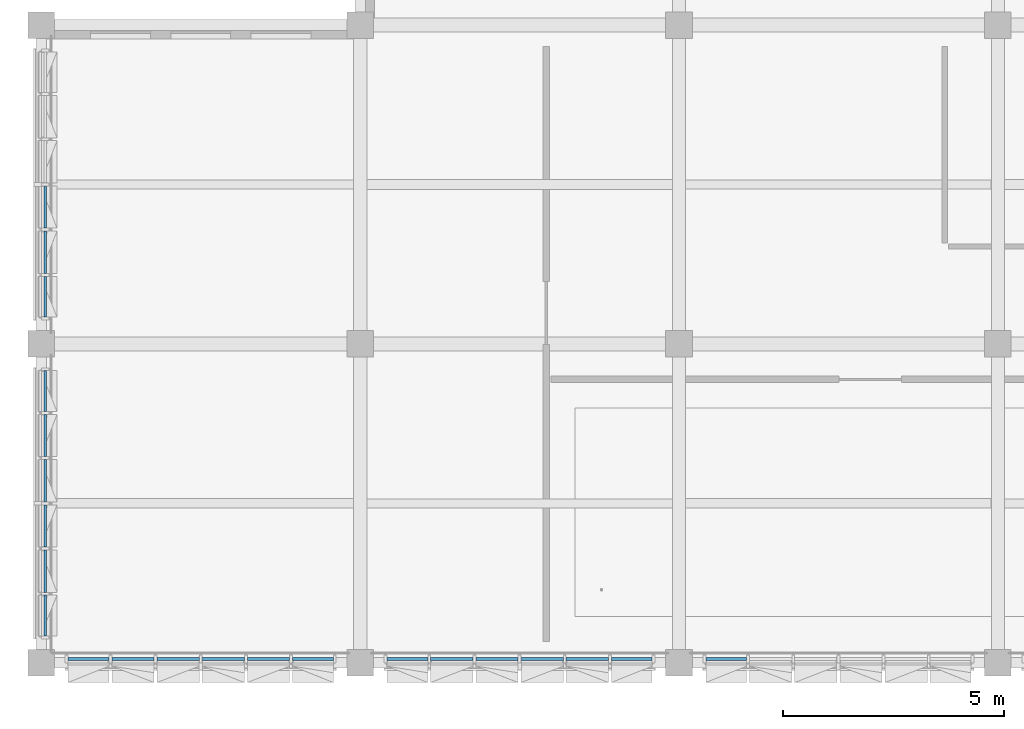
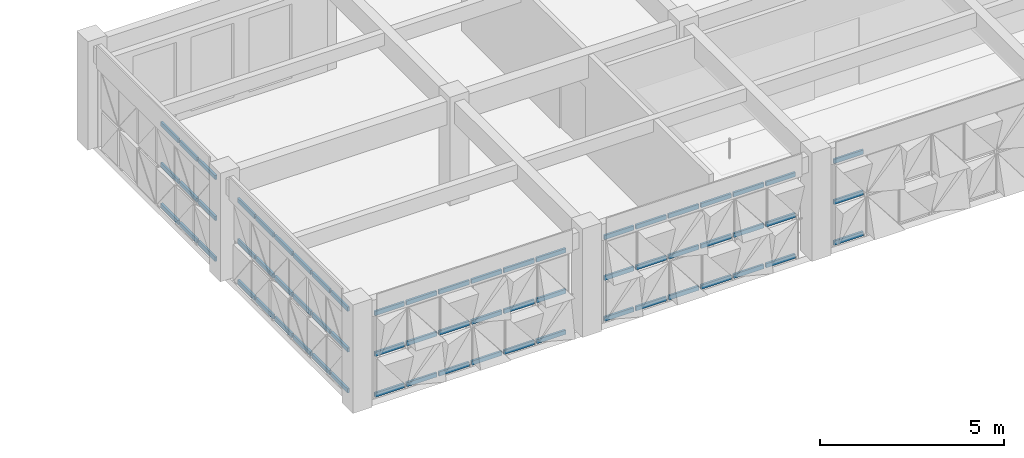
# One storey, part 18 of 99: 66 members, 5 elements without a shape of their own.
"""IFC4 building model written with IfcOpenShell, lengths in metres."""

from ifc_helpers import new_model, si_unit, direction, frame, origin, origin_2d, place, context, subcontext, project, spatial, rectangle, extrude, material, material_profile, profile_set, type_object, element, aggregate, save


model = new_model("IFC4")

# Units and contexts
model_context = context("Model", 3, precision=1e-05, world=origin(), true_north=direction((0.0, 1.0)))
body_context = subcontext(model_context, "Body", "Model", "MODEL_VIEW")
ifc_project = project(units=[si_unit("LENGTHUNIT", "METRE"), si_unit("AREAUNIT", "SQUARE_METRE"), si_unit("VOLUMEUNIT", "CUBIC_METRE"), si_unit("PLANEANGLEUNIT", "RADIAN"), si_unit("MASSUNIT", "GRAM", prefix="KILO")], contexts=[model_context])

# Site, building, storey
site_placement = place(None, origin())
site = spatial("IfcSite", under=ifc_project, at=site_placement, CompositionType="ELEMENT")
building_placement = place(site_placement, origin())
building = spatial("IfcBuilding", under=site, at=building_placement, Name="Alvorim Cloister Faculty of Sciences", CompositionType="ELEMENT")
storey_placement = place(building_placement, frame((0.0, 0.0, 12.14990234375)))
storey = spatial("IfcBuildingStorey", under=building, at=storey_placement, Name="L03", CompositionType="ELEMENT", Elevation=12.14990234375)

# Curtain wall, members
ifc_material_1 = material(Name="Aluminium and Low-E Glass Curtain Wall", Category="aluminium")
curtain_wall_type = type_object("IfcCurtainWallType", Name="CW-TRI-6120x2850", PredefinedType="USERDEFINED", material=ifc_material_1)
curtain_wall_1_placement = place(storey_placement, origin())
curtain_wall_1 = element("IfcCurtainWall", 1, at=curtain_wall_1_placement, inside=storey, type_object=curtain_wall_type, Name="L03 Diagonal Cassette Curtain Wall CW-0150", ObjectType="UNITISED CURTAIN WALL", PredefinedType="USERDEFINED")
ifc_material_2 = material(Name="Aluminium Alloy 6063-T6", Category="aluminium")
ifc_material_profile = material_profile(ifc_material_2, rectangle(XDim=0.06494140625, YDim=0.139892578125, at=origin_2d()), Name="ALU-TRN-65x140")
ifc_profile_set = profile_set([ifc_material_profile], Name="Aluminium Alloy 6063-T6")
member_type = type_object("IfcMemberType", Name="CW-TRN-65x140", PredefinedType="USERDEFINED", material=ifc_profile_set)
member_1_placement = place(storey_placement, frame((15.0048828125, 0.090087890625, 0.070068359375), z_axis=(1.0, 0.0, 0.0), x_axis=(0.0, 1.0, 0.0)))
member_1 = element("IfcMember", 2, at=member_1_placement, type_object=member_type, Name="CW-0150 Transom 1.1", ObjectType="TRANSOM", PredefinedType="USERDEFINED", context=body_context, shape_type="SweptSolid", body=[
    extrude(rectangle(XDim=0.06494140625, YDim=0.139892578125, at=origin_2d()), origin(), (0.0, 0.0, 1.0), 0.922607421875),
])
member_2_placement = place(storey_placement, frame((15.0048828125, 0.090087890625, 1.425048828125), z_axis=(1.0, 0.0, 0.0), x_axis=(0.0, 1.0, 0.0)))
member_2 = element("IfcMember", 3, at=member_2_placement, type_object=member_type, Name="CW-0150 Transom 1.2", ObjectType="TRANSOM", PredefinedType="USERDEFINED", context=body_context, shape_type="SweptSolid", body=[
    extrude(rectangle(XDim=0.06494140625, YDim=0.139892578125, at=origin_2d()), origin(), (0.0, 0.0, 1.0), 0.922607421875),
])
member_3_placement = place(storey_placement, frame((15.0048828125, 0.090087890625, 2.780029296875), z_axis=(1.0, 0.0, 0.0), x_axis=(0.0, 1.0, 0.0)))
member_3 = element("IfcMember", 4, at=member_3_placement, type_object=member_type, Name="CW-0150 Transom 1.3", ObjectType="TRANSOM", PredefinedType="USERDEFINED", context=body_context, shape_type="SweptSolid", body=[
    extrude(rectangle(XDim=0.06494140625, YDim=0.139892578125, at=origin_2d()), origin(), (0.0, 0.0, 1.0), 0.922607421875),
])
aggregate(curtain_wall_1, [member_1, member_2, member_3])

curtain_wall_2_placement = place(storey_placement, origin())
curtain_wall_2 = element("IfcCurtainWall", 5, at=curtain_wall_2_placement, inside=storey, type_object=curtain_wall_type, Name="L03 Diagonal Cassette Curtain Wall CW-0151", ObjectType="UNITISED CURTAIN WALL", PredefinedType="USERDEFINED")
member_4_placement = place(storey_placement, frame((7.804931640625, 0.090087890625, 0.070068359375), z_axis=(1.0, 0.0, 0.0), x_axis=(0.0, 1.0, 0.0)))
member_4 = element("IfcMember", 6, at=member_4_placement, type_object=member_type, Name="CW-0151 Transom 1.1", ObjectType="TRANSOM", PredefinedType="USERDEFINED", context=body_context, shape_type="SweptSolid", body=[
    extrude(rectangle(XDim=0.06494140625, YDim=0.139892578125, at=origin_2d()), origin(), (0.0, 0.0, 1.0), 0.922607421875),
])
member_5_placement = place(storey_placement, frame((7.804931640625, 0.090087890625, 1.425048828125), z_axis=(1.0, 0.0, 0.0), x_axis=(0.0, 1.0, 0.0)))
member_5 = element("IfcMember", 7, at=member_5_placement, type_object=member_type, Name="CW-0151 Transom 1.2", ObjectType="TRANSOM", PredefinedType="USERDEFINED", context=body_context, shape_type="SweptSolid", body=[
    extrude(rectangle(XDim=0.06494140625, YDim=0.139892578125, at=origin_2d()), origin(), (0.0, 0.0, 1.0), 0.922607421875),
])
member_6_placement = place(storey_placement, frame((7.804931640625, 0.090087890625, 2.780029296875), z_axis=(1.0, 0.0, 0.0), x_axis=(0.0, 1.0, 0.0)))
member_6 = element("IfcMember", 8, at=member_6_placement, type_object=member_type, Name="CW-0151 Transom 1.3", ObjectType="TRANSOM", PredefinedType="USERDEFINED", context=body_context, shape_type="SweptSolid", body=[
    extrude(rectangle(XDim=0.06494140625, YDim=0.139892578125, at=origin_2d()), origin(), (0.0, 0.0, 1.0), 0.922607421875),
])
member_7_placement = place(storey_placement, frame((8.79248046875, 0.090087890625, 0.070068359375), z_axis=(1.0, 0.0, 0.0), x_axis=(0.0, 1.0, 0.0)))
member_7 = element("IfcMember", 9, at=member_7_placement, type_object=member_type, Name="CW-0151 Transom 2.1", ObjectType="TRANSOM", PredefinedType="USERDEFINED", context=body_context, shape_type="SweptSolid", body=[
    extrude(rectangle(XDim=0.06494140625, YDim=0.139892578125, at=origin_2d()), origin(), (0.0, 0.0, 1.0), 0.955078125),
])
member_8_placement = place(storey_placement, frame((8.79248046875, 0.090087890625, 1.425048828125), z_axis=(1.0, 0.0, 0.0), x_axis=(0.0, 1.0, 0.0)))
member_8 = element("IfcMember", 10, at=member_8_placement, type_object=member_type, Name="CW-0151 Transom 2.2", ObjectType="TRANSOM", PredefinedType="USERDEFINED", context=body_context, shape_type="SweptSolid", body=[
    extrude(rectangle(XDim=0.06494140625, YDim=0.139892578125, at=origin_2d()), origin(), (0.0, 0.0, 1.0), 0.955078125),
])
member_9_placement = place(storey_placement, frame((8.79248046875, 0.090087890625, 2.780029296875), z_axis=(1.0, 0.0, 0.0), x_axis=(0.0, 1.0, 0.0)))
member_9 = element("IfcMember", 11, at=member_9_placement, type_object=member_type, Name="CW-0151 Transom 2.3", ObjectType="TRANSOM", PredefinedType="USERDEFINED", context=body_context, shape_type="SweptSolid", body=[
    extrude(rectangle(XDim=0.06494140625, YDim=0.139892578125, at=origin_2d()), origin(), (0.0, 0.0, 1.0), 0.955078125),
])
member_10_placement = place(storey_placement, frame((9.8125, 0.090087890625, 0.070068359375), z_axis=(1.0, 0.0, 0.0), x_axis=(0.0, 1.0, 0.0)))
member_10 = element("IfcMember", 12, at=member_10_placement, type_object=member_type, Name="CW-0151 Transom 3.1", ObjectType="TRANSOM", PredefinedType="USERDEFINED", context=body_context, shape_type="SweptSolid", body=[
    extrude(rectangle(XDim=0.06494140625, YDim=0.139892578125, at=origin_2d()), origin(), (0.0, 0.0, 1.0), 0.955078125),
])
member_11_placement = place(storey_placement, frame((9.8125, 0.090087890625, 1.425048828125), z_axis=(1.0, 0.0, 0.0), x_axis=(0.0, 1.0, 0.0)))
member_11 = element("IfcMember", 13, at=member_11_placement, type_object=member_type, Name="CW-0151 Transom 3.2", ObjectType="TRANSOM", PredefinedType="USERDEFINED", context=body_context, shape_type="SweptSolid", body=[
    extrude(rectangle(XDim=0.06494140625, YDim=0.139892578125, at=origin_2d()), origin(), (0.0, 0.0, 1.0), 0.955078125),
])
member_12_placement = place(storey_placement, frame((9.8125, 0.090087890625, 2.780029296875), z_axis=(1.0, 0.0, 0.0), x_axis=(0.0, 1.0, 0.0)))
member_12 = element("IfcMember", 14, at=member_12_placement, type_object=member_type, Name="CW-0151 Transom 3.3", ObjectType="TRANSOM", PredefinedType="USERDEFINED", context=body_context, shape_type="SweptSolid", body=[
    extrude(rectangle(XDim=0.06494140625, YDim=0.139892578125, at=origin_2d()), origin(), (0.0, 0.0, 1.0), 0.955078125),
])
member_13_placement = place(storey_placement, frame((10.83251953125, 0.090087890625, 0.070068359375), z_axis=(1.0, 0.0, 0.0), x_axis=(0.0, 1.0, 0.0)))
member_13 = element("IfcMember", 15, at=member_13_placement, type_object=member_type, Name="CW-0151 Transom 4.1", ObjectType="TRANSOM", PredefinedType="USERDEFINED", context=body_context, shape_type="SweptSolid", body=[
    extrude(rectangle(XDim=0.06494140625, YDim=0.139892578125, at=origin_2d()), origin(), (0.0, 0.0, 1.0), 0.955078125),
])
member_14_placement = place(storey_placement, frame((10.83251953125, 0.090087890625, 1.425048828125), z_axis=(1.0, 0.0, 0.0), x_axis=(0.0, 1.0, 0.0)))
member_14 = element("IfcMember", 16, at=member_14_placement, type_object=member_type, Name="CW-0151 Transom 4.2", ObjectType="TRANSOM", PredefinedType="USERDEFINED", context=body_context, shape_type="SweptSolid", body=[
    extrude(rectangle(XDim=0.06494140625, YDim=0.139892578125, at=origin_2d()), origin(), (0.0, 0.0, 1.0), 0.955078125),
])
member_15_placement = place(storey_placement, frame((10.83251953125, 0.090087890625, 2.780029296875), z_axis=(1.0, 0.0, 0.0), x_axis=(0.0, 1.0, 0.0)))
member_15 = element("IfcMember", 17, at=member_15_placement, type_object=member_type, Name="CW-0151 Transom 4.3", ObjectType="TRANSOM", PredefinedType="USERDEFINED", context=body_context, shape_type="SweptSolid", body=[
    extrude(rectangle(XDim=0.06494140625, YDim=0.139892578125, at=origin_2d()), origin(), (0.0, 0.0, 1.0), 0.955078125),
])
member_16_placement = place(storey_placement, frame((11.8525390625, 0.090087890625, 0.070068359375), z_axis=(1.0, 0.0, 0.0), x_axis=(0.0, 1.0, 0.0)))
member_16 = element("IfcMember", 18, at=member_16_placement, type_object=member_type, Name="CW-0151 Transom 5.1", ObjectType="TRANSOM", PredefinedType="USERDEFINED", context=body_context, shape_type="SweptSolid", body=[
    extrude(rectangle(XDim=0.06494140625, YDim=0.139892578125, at=origin_2d()), origin(), (0.0, 0.0, 1.0), 0.955078125),
])
member_17_placement = place(storey_placement, frame((11.8525390625, 0.090087890625, 1.425048828125), z_axis=(1.0, 0.0, 0.0), x_axis=(0.0, 1.0, 0.0)))
member_17 = element("IfcMember", 19, at=member_17_placement, type_object=member_type, Name="CW-0151 Transom 5.2", ObjectType="TRANSOM", PredefinedType="USERDEFINED", context=body_context, shape_type="SweptSolid", body=[
    extrude(rectangle(XDim=0.06494140625, YDim=0.139892578125, at=origin_2d()), origin(), (0.0, 0.0, 1.0), 0.955078125),
])
member_18_placement = place(storey_placement, frame((11.8525390625, 0.090087890625, 2.780029296875), z_axis=(1.0, 0.0, 0.0), x_axis=(0.0, 1.0, 0.0)))
member_18 = element("IfcMember", 20, at=member_18_placement, type_object=member_type, Name="CW-0151 Transom 5.3", ObjectType="TRANSOM", PredefinedType="USERDEFINED", context=body_context, shape_type="SweptSolid", body=[
    extrude(rectangle(XDim=0.06494140625, YDim=0.139892578125, at=origin_2d()), origin(), (0.0, 0.0, 1.0), 0.955078125),
])
member_19_placement = place(storey_placement, frame((12.87255859375, 0.090087890625, 0.070068359375), z_axis=(1.0, 0.0, 0.0), x_axis=(0.0, 1.0, 0.0)))
member_19 = element("IfcMember", 21, at=member_19_placement, type_object=member_type, Name="CW-0151 Transom 6.1", ObjectType="TRANSOM", PredefinedType="USERDEFINED", context=body_context, shape_type="SweptSolid", body=[
    extrude(rectangle(XDim=0.06494140625, YDim=0.139892578125, at=origin_2d()), origin(), (0.0, 0.0, 1.0), 0.92236328125),
])
member_20_placement = place(storey_placement, frame((12.87255859375, 0.090087890625, 1.425048828125), z_axis=(1.0, 0.0, 0.0), x_axis=(0.0, 1.0, 0.0)))
member_20 = element("IfcMember", 22, at=member_20_placement, type_object=member_type, Name="CW-0151 Transom 6.2", ObjectType="TRANSOM", PredefinedType="USERDEFINED", context=body_context, shape_type="SweptSolid", body=[
    extrude(rectangle(XDim=0.06494140625, YDim=0.139892578125, at=origin_2d()), origin(), (0.0, 0.0, 1.0), 0.92236328125),
])
member_21_placement = place(storey_placement, frame((12.87255859375, 0.090087890625, 2.780029296875), z_axis=(1.0, 0.0, 0.0), x_axis=(0.0, 1.0, 0.0)))
member_21 = element("IfcMember", 23, at=member_21_placement, type_object=member_type, Name="CW-0151 Transom 6.3", ObjectType="TRANSOM", PredefinedType="USERDEFINED", context=body_context, shape_type="SweptSolid", body=[
    extrude(rectangle(XDim=0.06494140625, YDim=0.139892578125, at=origin_2d()), origin(), (0.0, 0.0, 1.0), 0.92236328125),
])
aggregate(curtain_wall_2, [member_4, member_5, member_6, member_7, member_8, member_9, member_10, member_11, member_12, member_13, member_14, member_15, member_16, member_17, member_18, member_19, member_20, member_21])

curtain_wall_3_placement = place(storey_placement, origin())
curtain_wall_3 = element("IfcCurtainWall", 24, at=curtain_wall_3_placement, inside=storey, type_object=curtain_wall_type, Name="L03 Diagonal Cassette Curtain Wall CW-0152", ObjectType="UNITISED CURTAIN WALL", PredefinedType="USERDEFINED")
member_22_placement = place(storey_placement, frame((0.60498046875, 0.090087890625, 0.070068359375), z_axis=(1.0, 0.0, 0.0), x_axis=(0.0, 1.0, 0.0)))
member_22 = element("IfcMember", 25, at=member_22_placement, type_object=member_type, Name="CW-0152 Transom 1.1", ObjectType="TRANSOM", PredefinedType="USERDEFINED", context=body_context, shape_type="SweptSolid", body=[
    extrude(rectangle(XDim=0.06494140625, YDim=0.139892578125, at=origin_2d()), origin(), (0.0, 0.0, 1.0), 0.922607421875),
])
member_23_placement = place(storey_placement, frame((0.60498046875, 0.090087890625, 1.425048828125), z_axis=(1.0, 0.0, 0.0), x_axis=(0.0, 1.0, 0.0)))
member_23 = element("IfcMember", 26, at=member_23_placement, type_object=member_type, Name="CW-0152 Transom 1.2", ObjectType="TRANSOM", PredefinedType="USERDEFINED", context=body_context, shape_type="SweptSolid", body=[
    extrude(rectangle(XDim=0.06494140625, YDim=0.139892578125, at=origin_2d()), origin(), (0.0, 0.0, 1.0), 0.922607421875),
])
member_24_placement = place(storey_placement, frame((0.60498046875, 0.090087890625, 2.780029296875), z_axis=(1.0, 0.0, 0.0), x_axis=(0.0, 1.0, 0.0)))
member_24 = element("IfcMember", 27, at=member_24_placement, type_object=member_type, Name="CW-0152 Transom 1.3", ObjectType="TRANSOM", PredefinedType="USERDEFINED", context=body_context, shape_type="SweptSolid", body=[
    extrude(rectangle(XDim=0.06494140625, YDim=0.139892578125, at=origin_2d()), origin(), (0.0, 0.0, 1.0), 0.922607421875),
])
member_25_placement = place(storey_placement, frame((1.592529296875, 0.090087890625, 0.070068359375), z_axis=(1.0, 0.0, 0.0), x_axis=(0.0, 1.0, 0.0)))
member_25 = element("IfcMember", 28, at=member_25_placement, type_object=member_type, Name="CW-0152 Transom 2.1", ObjectType="TRANSOM", PredefinedType="USERDEFINED", context=body_context, shape_type="SweptSolid", body=[
    extrude(rectangle(XDim=0.06494140625, YDim=0.139892578125, at=origin_2d()), origin(), (0.0, 0.0, 1.0), 0.955078125),
])
member_26_placement = place(storey_placement, frame((1.592529296875, 0.090087890625, 1.425048828125), z_axis=(1.0, 0.0, 0.0), x_axis=(0.0, 1.0, 0.0)))
member_26 = element("IfcMember", 29, at=member_26_placement, type_object=member_type, Name="CW-0152 Transom 2.2", ObjectType="TRANSOM", PredefinedType="USERDEFINED", context=body_context, shape_type="SweptSolid", body=[
    extrude(rectangle(XDim=0.06494140625, YDim=0.139892578125, at=origin_2d()), origin(), (0.0, 0.0, 1.0), 0.955078125),
])
member_27_placement = place(storey_placement, frame((1.592529296875, 0.090087890625, 2.780029296875), z_axis=(1.0, 0.0, 0.0), x_axis=(0.0, 1.0, 0.0)))
member_27 = element("IfcMember", 30, at=member_27_placement, type_object=member_type, Name="CW-0152 Transom 2.3", ObjectType="TRANSOM", PredefinedType="USERDEFINED", context=body_context, shape_type="SweptSolid", body=[
    extrude(rectangle(XDim=0.06494140625, YDim=0.139892578125, at=origin_2d()), origin(), (0.0, 0.0, 1.0), 0.955078125),
])
member_28_placement = place(storey_placement, frame((2.612548828125, 0.090087890625, 0.070068359375), z_axis=(1.0, 0.0, 0.0), x_axis=(0.0, 1.0, 0.0)))
member_28 = element("IfcMember", 31, at=member_28_placement, type_object=member_type, Name="CW-0152 Transom 3.1", ObjectType="TRANSOM", PredefinedType="USERDEFINED", context=body_context, shape_type="SweptSolid", body=[
    extrude(rectangle(XDim=0.06494140625, YDim=0.139892578125, at=origin_2d()), origin(), (0.0, 0.0, 1.0), 0.954833984375),
])
member_29_placement = place(storey_placement, frame((2.612548828125, 0.090087890625, 1.425048828125), z_axis=(1.0, 0.0, 0.0), x_axis=(0.0, 1.0, 0.0)))
member_29 = element("IfcMember", 32, at=member_29_placement, type_object=member_type, Name="CW-0152 Transom 3.2", ObjectType="TRANSOM", PredefinedType="USERDEFINED", context=body_context, shape_type="SweptSolid", body=[
    extrude(rectangle(XDim=0.06494140625, YDim=0.139892578125, at=origin_2d()), origin(), (0.0, 0.0, 1.0), 0.954833984375),
])
member_30_placement = place(storey_placement, frame((2.612548828125, 0.090087890625, 2.780029296875), z_axis=(1.0, 0.0, 0.0), x_axis=(0.0, 1.0, 0.0)))
member_30 = element("IfcMember", 33, at=member_30_placement, type_object=member_type, Name="CW-0152 Transom 3.3", ObjectType="TRANSOM", PredefinedType="USERDEFINED", context=body_context, shape_type="SweptSolid", body=[
    extrude(rectangle(XDim=0.06494140625, YDim=0.139892578125, at=origin_2d()), origin(), (0.0, 0.0, 1.0), 0.954833984375),
])
member_31_placement = place(storey_placement, frame((3.632568359375, 0.090087890625, 0.070068359375), z_axis=(1.0, 0.0, 0.0), x_axis=(0.0, 1.0, 0.0)))
member_31 = element("IfcMember", 34, at=member_31_placement, type_object=member_type, Name="CW-0152 Transom 4.1", ObjectType="TRANSOM", PredefinedType="USERDEFINED", context=body_context, shape_type="SweptSolid", body=[
    extrude(rectangle(XDim=0.06494140625, YDim=0.139892578125, at=origin_2d()), origin(), (0.0, 0.0, 1.0), 0.954833984375),
])
member_32_placement = place(storey_placement, frame((3.632568359375, 0.090087890625, 1.425048828125), z_axis=(1.0, 0.0, 0.0), x_axis=(0.0, 1.0, 0.0)))
member_32 = element("IfcMember", 35, at=member_32_placement, type_object=member_type, Name="CW-0152 Transom 4.2", ObjectType="TRANSOM", PredefinedType="USERDEFINED", context=body_context, shape_type="SweptSolid", body=[
    extrude(rectangle(XDim=0.06494140625, YDim=0.139892578125, at=origin_2d()), origin(), (0.0, 0.0, 1.0), 0.954833984375),
])
member_33_placement = place(storey_placement, frame((3.632568359375, 0.090087890625, 2.780029296875), z_axis=(1.0, 0.0, 0.0), x_axis=(0.0, 1.0, 0.0)))
member_33 = element("IfcMember", 36, at=member_33_placement, type_object=member_type, Name="CW-0152 Transom 4.3", ObjectType="TRANSOM", PredefinedType="USERDEFINED", context=body_context, shape_type="SweptSolid", body=[
    extrude(rectangle(XDim=0.06494140625, YDim=0.139892578125, at=origin_2d()), origin(), (0.0, 0.0, 1.0), 0.954833984375),
])
member_34_placement = place(storey_placement, frame((4.652587890625, 0.090087890625, 0.070068359375), z_axis=(1.0, 0.0, 0.0), x_axis=(0.0, 1.0, 0.0)))
member_34 = element("IfcMember", 37, at=member_34_placement, type_object=member_type, Name="CW-0152 Transom 5.1", ObjectType="TRANSOM", PredefinedType="USERDEFINED", context=body_context, shape_type="SweptSolid", body=[
    extrude(rectangle(XDim=0.06494140625, YDim=0.139892578125, at=origin_2d()), origin(), (0.0, 0.0, 1.0), 0.954833984375),
])
member_35_placement = place(storey_placement, frame((4.652587890625, 0.090087890625, 1.425048828125), z_axis=(1.0, 0.0, 0.0), x_axis=(0.0, 1.0, 0.0)))
member_35 = element("IfcMember", 38, at=member_35_placement, type_object=member_type, Name="CW-0152 Transom 5.2", ObjectType="TRANSOM", PredefinedType="USERDEFINED", context=body_context, shape_type="SweptSolid", body=[
    extrude(rectangle(XDim=0.06494140625, YDim=0.139892578125, at=origin_2d()), origin(), (0.0, 0.0, 1.0), 0.954833984375),
])
member_36_placement = place(storey_placement, frame((4.652587890625, 0.090087890625, 2.780029296875), z_axis=(1.0, 0.0, 0.0), x_axis=(0.0, 1.0, 0.0)))
member_36 = element("IfcMember", 39, at=member_36_placement, type_object=member_type, Name="CW-0152 Transom 5.3", ObjectType="TRANSOM", PredefinedType="USERDEFINED", context=body_context, shape_type="SweptSolid", body=[
    extrude(rectangle(XDim=0.06494140625, YDim=0.139892578125, at=origin_2d()), origin(), (0.0, 0.0, 1.0), 0.954833984375),
])
member_37_placement = place(storey_placement, frame((5.672607421875, 0.090087890625, 0.070068359375), z_axis=(1.0, 0.0, 0.0), x_axis=(0.0, 1.0, 0.0)))
member_37 = element("IfcMember", 40, at=member_37_placement, type_object=member_type, Name="CW-0152 Transom 6.1", ObjectType="TRANSOM", PredefinedType="USERDEFINED", context=body_context, shape_type="SweptSolid", body=[
    extrude(rectangle(XDim=0.06494140625, YDim=0.139892578125, at=origin_2d()), origin(), (0.0, 0.0, 1.0), 0.92236328125),
])
member_38_placement = place(storey_placement, frame((5.672607421875, 0.090087890625, 1.425048828125), z_axis=(1.0, 0.0, 0.0), x_axis=(0.0, 1.0, 0.0)))
member_38 = element("IfcMember", 41, at=member_38_placement, type_object=member_type, Name="CW-0152 Transom 6.2", ObjectType="TRANSOM", PredefinedType="USERDEFINED", context=body_context, shape_type="SweptSolid", body=[
    extrude(rectangle(XDim=0.06494140625, YDim=0.139892578125, at=origin_2d()), origin(), (0.0, 0.0, 1.0), 0.92236328125),
])
member_39_placement = place(storey_placement, frame((5.672607421875, 0.090087890625, 2.780029296875), z_axis=(1.0, 0.0, 0.0), x_axis=(0.0, 1.0, 0.0)))
member_39 = element("IfcMember", 42, at=member_39_placement, type_object=member_type, Name="CW-0152 Transom 6.3", ObjectType="TRANSOM", PredefinedType="USERDEFINED", context=body_context, shape_type="SweptSolid", body=[
    extrude(rectangle(XDim=0.06494140625, YDim=0.139892578125, at=origin_2d()), origin(), (0.0, 0.0, 1.0), 0.92236328125),
])
aggregate(curtain_wall_3, [member_22, member_23, member_24, member_25, member_26, member_27, member_28, member_29, member_30, member_31, member_32, member_33, member_34, member_35, member_36, member_37, member_38, member_39])

curtain_wall_4_placement = place(storey_placement, origin())
curtain_wall_4 = element("IfcCurtainWall", 43, at=curtain_wall_4_placement, inside=storey, type_object=curtain_wall_type, Name="L03 Diagonal Cassette Curtain Wall CW-0153", ObjectType="UNITISED CURTAIN WALL", PredefinedType="USERDEFINED")
member_40_placement = place(storey_placement, frame((0.090087890625, 0.60498046875, 0.070068359375), z_axis=(0.0, 1.0, 0.0), x_axis=(-1.0, 0.0, 0.0)))
member_40 = element("IfcMember", 44, at=member_40_placement, type_object=member_type, Name="CW-0153 Transom 1.1", ObjectType="TRANSOM", PredefinedType="USERDEFINED", context=body_context, shape_type="SweptSolid", body=[
    extrude(rectangle(XDim=0.06494140625, YDim=0.139892578125, at=origin_2d()), origin(), (0.0, 0.0, 1.0), 0.922607421875),
])
member_41_placement = place(storey_placement, frame((0.090087890625, 0.60498046875, 1.425048828125), z_axis=(0.0, 1.0, 0.0), x_axis=(-1.0, 0.0, 0.0)))
member_41 = element("IfcMember", 45, at=member_41_placement, type_object=member_type, Name="CW-0153 Transom 1.2", ObjectType="TRANSOM", PredefinedType="USERDEFINED", context=body_context, shape_type="SweptSolid", body=[
    extrude(rectangle(XDim=0.06494140625, YDim=0.139892578125, at=origin_2d()), origin(), (0.0, 0.0, 1.0), 0.922607421875),
])
member_42_placement = place(storey_placement, frame((0.090087890625, 0.60498046875, 2.780029296875), z_axis=(0.0, 1.0, 0.0), x_axis=(-1.0, 0.0, 0.0)))
member_42 = element("IfcMember", 46, at=member_42_placement, type_object=member_type, Name="CW-0153 Transom 1.3", ObjectType="TRANSOM", PredefinedType="USERDEFINED", context=body_context, shape_type="SweptSolid", body=[
    extrude(rectangle(XDim=0.06494140625, YDim=0.139892578125, at=origin_2d()), origin(), (0.0, 0.0, 1.0), 0.922607421875),
])
member_43_placement = place(storey_placement, frame((0.090087890625, 1.592529296875, 0.070068359375), z_axis=(0.0, 1.0, 0.0), x_axis=(-1.0, 0.0, 0.0)))
member_43 = element("IfcMember", 47, at=member_43_placement, type_object=member_type, Name="CW-0153 Transom 2.1", ObjectType="TRANSOM", PredefinedType="USERDEFINED", context=body_context, shape_type="SweptSolid", body=[
    extrude(rectangle(XDim=0.06494140625, YDim=0.139892578125, at=origin_2d()), origin(), (0.0, 0.0, 1.0), 0.955078125),
])
member_44_placement = place(storey_placement, frame((0.090087890625, 1.592529296875, 1.425048828125), z_axis=(0.0, 1.0, 0.0), x_axis=(-1.0, 0.0, 0.0)))
member_44 = element("IfcMember", 48, at=member_44_placement, type_object=member_type, Name="CW-0153 Transom 2.2", ObjectType="TRANSOM", PredefinedType="USERDEFINED", context=body_context, shape_type="SweptSolid", body=[
    extrude(rectangle(XDim=0.06494140625, YDim=0.139892578125, at=origin_2d()), origin(), (0.0, 0.0, 1.0), 0.955078125),
])
member_45_placement = place(storey_placement, frame((0.090087890625, 1.592529296875, 2.780029296875), z_axis=(0.0, 1.0, 0.0), x_axis=(-1.0, 0.0, 0.0)))
member_45 = element("IfcMember", 49, at=member_45_placement, type_object=member_type, Name="CW-0153 Transom 2.3", ObjectType="TRANSOM", PredefinedType="USERDEFINED", context=body_context, shape_type="SweptSolid", body=[
    extrude(rectangle(XDim=0.06494140625, YDim=0.139892578125, at=origin_2d()), origin(), (0.0, 0.0, 1.0), 0.955078125),
])
member_46_placement = place(storey_placement, frame((0.090087890625, 2.612548828125, 0.070068359375), z_axis=(0.0, 1.0, 0.0), x_axis=(-1.0, 0.0, 0.0)))
member_46 = element("IfcMember", 50, at=member_46_placement, type_object=member_type, Name="CW-0153 Transom 3.1", ObjectType="TRANSOM", PredefinedType="USERDEFINED", context=body_context, shape_type="SweptSolid", body=[
    extrude(rectangle(XDim=0.06494140625, YDim=0.139892578125, at=origin_2d()), origin(), (0.0, 0.0, 1.0), 0.954833984375),
])
member_47_placement = place(storey_placement, frame((0.090087890625, 2.612548828125, 1.425048828125), z_axis=(0.0, 1.0, 0.0), x_axis=(-1.0, 0.0, 0.0)))
member_47 = element("IfcMember", 51, at=member_47_placement, type_object=member_type, Name="CW-0153 Transom 3.2", ObjectType="TRANSOM", PredefinedType="USERDEFINED", context=body_context, shape_type="SweptSolid", body=[
    extrude(rectangle(XDim=0.06494140625, YDim=0.139892578125, at=origin_2d()), origin(), (0.0, 0.0, 1.0), 0.954833984375),
])
member_48_placement = place(storey_placement, frame((0.090087890625, 2.612548828125, 2.780029296875), z_axis=(0.0, 1.0, 0.0), x_axis=(-1.0, 0.0, 0.0)))
member_48 = element("IfcMember", 52, at=member_48_placement, type_object=member_type, Name="CW-0153 Transom 3.3", ObjectType="TRANSOM", PredefinedType="USERDEFINED", context=body_context, shape_type="SweptSolid", body=[
    extrude(rectangle(XDim=0.06494140625, YDim=0.139892578125, at=origin_2d()), origin(), (0.0, 0.0, 1.0), 0.954833984375),
])
member_49_placement = place(storey_placement, frame((0.090087890625, 3.632568359375, 0.070068359375), z_axis=(0.0, 1.0, 0.0), x_axis=(-1.0, 0.0, 0.0)))
member_49 = element("IfcMember", 53, at=member_49_placement, type_object=member_type, Name="CW-0153 Transom 4.1", ObjectType="TRANSOM", PredefinedType="USERDEFINED", context=body_context, shape_type="SweptSolid", body=[
    extrude(rectangle(XDim=0.06494140625, YDim=0.139892578125, at=origin_2d()), origin(), (0.0, 0.0, 1.0), 0.954833984375),
])
member_50_placement = place(storey_placement, frame((0.090087890625, 3.632568359375, 1.425048828125), z_axis=(0.0, 1.0, 0.0), x_axis=(-1.0, 0.0, 0.0)))
member_50 = element("IfcMember", 54, at=member_50_placement, type_object=member_type, Name="CW-0153 Transom 4.2", ObjectType="TRANSOM", PredefinedType="USERDEFINED", context=body_context, shape_type="SweptSolid", body=[
    extrude(rectangle(XDim=0.06494140625, YDim=0.139892578125, at=origin_2d()), origin(), (0.0, 0.0, 1.0), 0.954833984375),
])
member_51_placement = place(storey_placement, frame((0.090087890625, 3.632568359375, 2.780029296875), z_axis=(0.0, 1.0, 0.0), x_axis=(-1.0, 0.0, 0.0)))
member_51 = element("IfcMember", 55, at=member_51_placement, type_object=member_type, Name="CW-0153 Transom 4.3", ObjectType="TRANSOM", PredefinedType="USERDEFINED", context=body_context, shape_type="SweptSolid", body=[
    extrude(rectangle(XDim=0.06494140625, YDim=0.139892578125, at=origin_2d()), origin(), (0.0, 0.0, 1.0), 0.954833984375),
])
member_52_placement = place(storey_placement, frame((0.090087890625, 4.652587890625, 0.070068359375), z_axis=(0.0, 1.0, 0.0), x_axis=(-1.0, 0.0, 0.0)))
member_52 = element("IfcMember", 56, at=member_52_placement, type_object=member_type, Name="CW-0153 Transom 5.1", ObjectType="TRANSOM", PredefinedType="USERDEFINED", context=body_context, shape_type="SweptSolid", body=[
    extrude(rectangle(XDim=0.06494140625, YDim=0.139892578125, at=origin_2d()), origin(), (0.0, 0.0, 1.0), 0.954833984375),
])
member_53_placement = place(storey_placement, frame((0.090087890625, 4.652587890625, 1.425048828125), z_axis=(0.0, 1.0, 0.0), x_axis=(-1.0, 0.0, 0.0)))
member_53 = element("IfcMember", 57, at=member_53_placement, type_object=member_type, Name="CW-0153 Transom 5.2", ObjectType="TRANSOM", PredefinedType="USERDEFINED", context=body_context, shape_type="SweptSolid", body=[
    extrude(rectangle(XDim=0.06494140625, YDim=0.139892578125, at=origin_2d()), origin(), (0.0, 0.0, 1.0), 0.954833984375),
])
member_54_placement = place(storey_placement, frame((0.090087890625, 4.652587890625, 2.780029296875), z_axis=(0.0, 1.0, 0.0), x_axis=(-1.0, 0.0, 0.0)))
member_54 = element("IfcMember", 58, at=member_54_placement, type_object=member_type, Name="CW-0153 Transom 5.3", ObjectType="TRANSOM", PredefinedType="USERDEFINED", context=body_context, shape_type="SweptSolid", body=[
    extrude(rectangle(XDim=0.06494140625, YDim=0.139892578125, at=origin_2d()), origin(), (0.0, 0.0, 1.0), 0.954833984375),
])
member_55_placement = place(storey_placement, frame((0.090087890625, 5.672607421875, 0.070068359375), z_axis=(0.0, 1.0, 0.0), x_axis=(-1.0, 0.0, 0.0)))
member_55 = element("IfcMember", 59, at=member_55_placement, type_object=member_type, Name="CW-0153 Transom 6.1", ObjectType="TRANSOM", PredefinedType="USERDEFINED", context=body_context, shape_type="SweptSolid", body=[
    extrude(rectangle(XDim=0.06494140625, YDim=0.139892578125, at=origin_2d()), origin(), (0.0, 0.0, 1.0), 0.92236328125),
])
member_56_placement = place(storey_placement, frame((0.090087890625, 5.672607421875, 1.425048828125), z_axis=(0.0, 1.0, 0.0), x_axis=(-1.0, 0.0, 0.0)))
member_56 = element("IfcMember", 60, at=member_56_placement, type_object=member_type, Name="CW-0153 Transom 6.2", ObjectType="TRANSOM", PredefinedType="USERDEFINED", context=body_context, shape_type="SweptSolid", body=[
    extrude(rectangle(XDim=0.06494140625, YDim=0.139892578125, at=origin_2d()), origin(), (0.0, 0.0, 1.0), 0.92236328125),
])
member_57_placement = place(storey_placement, frame((0.090087890625, 5.672607421875, 2.780029296875), z_axis=(0.0, 1.0, 0.0), x_axis=(-1.0, 0.0, 0.0)))
member_57 = element("IfcMember", 61, at=member_57_placement, type_object=member_type, Name="CW-0153 Transom 6.3", ObjectType="TRANSOM", PredefinedType="USERDEFINED", context=body_context, shape_type="SweptSolid", body=[
    extrude(rectangle(XDim=0.06494140625, YDim=0.139892578125, at=origin_2d()), origin(), (0.0, 0.0, 1.0), 0.92236328125),
])
aggregate(curtain_wall_4, [member_40, member_41, member_42, member_43, member_44, member_45, member_46, member_47, member_48, member_49, member_50, member_51, member_52, member_53, member_54, member_55, member_56, member_57])

curtain_wall_5_placement = place(storey_placement, origin())
curtain_wall_5 = element("IfcCurtainWall", 62, at=curtain_wall_5_placement, inside=storey, type_object=curtain_wall_type, Name="L03 Diagonal Cassette Curtain Wall CW-0154", ObjectType="UNITISED CURTAIN WALL", PredefinedType="USERDEFINED")
member_58_placement = place(storey_placement, frame((0.090087890625, 7.804931640625, 0.070068359375), z_axis=(0.0, 1.0, 0.0), x_axis=(-1.0, 0.0, 0.0)))
member_58 = element("IfcMember", 63, at=member_58_placement, type_object=member_type, Name="CW-0154 Transom 1.1", ObjectType="TRANSOM", PredefinedType="USERDEFINED", context=body_context, shape_type="SweptSolid", body=[
    extrude(rectangle(XDim=0.06494140625, YDim=0.139892578125, at=origin_2d()), origin(), (0.0, 0.0, 1.0), 0.922607421875),
])
member_59_placement = place(storey_placement, frame((0.090087890625, 7.804931640625, 1.425048828125), z_axis=(0.0, 1.0, 0.0), x_axis=(-1.0, 0.0, 0.0)))
member_59 = element("IfcMember", 64, at=member_59_placement, type_object=member_type, Name="CW-0154 Transom 1.2", ObjectType="TRANSOM", PredefinedType="USERDEFINED", context=body_context, shape_type="SweptSolid", body=[
    extrude(rectangle(XDim=0.06494140625, YDim=0.139892578125, at=origin_2d()), origin(), (0.0, 0.0, 1.0), 0.922607421875),
])
member_60_placement = place(storey_placement, frame((0.090087890625, 7.804931640625, 2.780029296875), z_axis=(0.0, 1.0, 0.0), x_axis=(-1.0, 0.0, 0.0)))
member_60 = element("IfcMember", 65, at=member_60_placement, type_object=member_type, Name="CW-0154 Transom 1.3", ObjectType="TRANSOM", PredefinedType="USERDEFINED", context=body_context, shape_type="SweptSolid", body=[
    extrude(rectangle(XDim=0.06494140625, YDim=0.139892578125, at=origin_2d()), origin(), (0.0, 0.0, 1.0), 0.922607421875),
])
member_61_placement = place(storey_placement, frame((0.090087890625, 8.79248046875, 0.070068359375), z_axis=(0.0, 1.0, 0.0), x_axis=(-1.0, 0.0, 0.0)))
member_61 = element("IfcMember", 66, at=member_61_placement, type_object=member_type, Name="CW-0154 Transom 2.1", ObjectType="TRANSOM", PredefinedType="USERDEFINED", context=body_context, shape_type="SweptSolid", body=[
    extrude(rectangle(XDim=0.06494140625, YDim=0.139892578125, at=origin_2d()), origin(), (0.0, 0.0, 1.0), 0.955078125),
])
member_62_placement = place(storey_placement, frame((0.090087890625, 8.79248046875, 1.425048828125), z_axis=(0.0, 1.0, 0.0), x_axis=(-1.0, 0.0, 0.0)))
member_62 = element("IfcMember", 67, at=member_62_placement, type_object=member_type, Name="CW-0154 Transom 2.2", ObjectType="TRANSOM", PredefinedType="USERDEFINED", context=body_context, shape_type="SweptSolid", body=[
    extrude(rectangle(XDim=0.06494140625, YDim=0.139892578125, at=origin_2d()), origin(), (0.0, 0.0, 1.0), 0.955078125),
])
member_63_placement = place(storey_placement, frame((0.090087890625, 8.79248046875, 2.780029296875), z_axis=(0.0, 1.0, 0.0), x_axis=(-1.0, 0.0, 0.0)))
member_63 = element("IfcMember", 68, at=member_63_placement, type_object=member_type, Name="CW-0154 Transom 2.3", ObjectType="TRANSOM", PredefinedType="USERDEFINED", context=body_context, shape_type="SweptSolid", body=[
    extrude(rectangle(XDim=0.06494140625, YDim=0.139892578125, at=origin_2d()), origin(), (0.0, 0.0, 1.0), 0.955078125),
])
member_64_placement = place(storey_placement, frame((0.090087890625, 9.8125, 0.070068359375), z_axis=(0.0, 1.0, 0.0), x_axis=(-1.0, 0.0, 0.0)))
member_64 = element("IfcMember", 69, at=member_64_placement, type_object=member_type, Name="CW-0154 Transom 3.1", ObjectType="TRANSOM", PredefinedType="USERDEFINED", context=body_context, shape_type="SweptSolid", body=[
    extrude(rectangle(XDim=0.06494140625, YDim=0.139892578125, at=origin_2d()), origin(), (0.0, 0.0, 1.0), 0.955078125),
])
member_65_placement = place(storey_placement, frame((0.090087890625, 9.8125, 1.425048828125), z_axis=(0.0, 1.0, 0.0), x_axis=(-1.0, 0.0, 0.0)))
member_65 = element("IfcMember", 70, at=member_65_placement, type_object=member_type, Name="CW-0154 Transom 3.2", ObjectType="TRANSOM", PredefinedType="USERDEFINED", context=body_context, shape_type="SweptSolid", body=[
    extrude(rectangle(XDim=0.06494140625, YDim=0.139892578125, at=origin_2d()), origin(), (0.0, 0.0, 1.0), 0.955078125),
])
member_66_placement = place(storey_placement, frame((0.090087890625, 9.8125, 2.780029296875), z_axis=(0.0, 1.0, 0.0), x_axis=(-1.0, 0.0, 0.0)))
member_66 = element("IfcMember", 71, at=member_66_placement, type_object=member_type, Name="CW-0154 Transom 3.3", ObjectType="TRANSOM", PredefinedType="USERDEFINED", context=body_context, shape_type="SweptSolid", body=[
    extrude(rectangle(XDim=0.06494140625, YDim=0.139892578125, at=origin_2d()), origin(), (0.0, 0.0, 1.0), 0.955078125),
])
aggregate(curtain_wall_5, [member_58, member_59, member_60, member_61, member_62, member_63, member_64, member_65, member_66])

save(model, "model.ifc")
